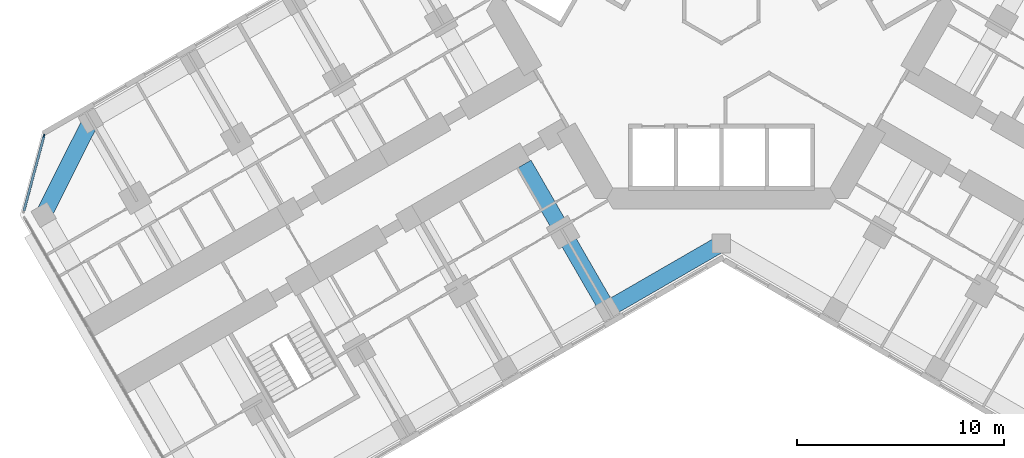
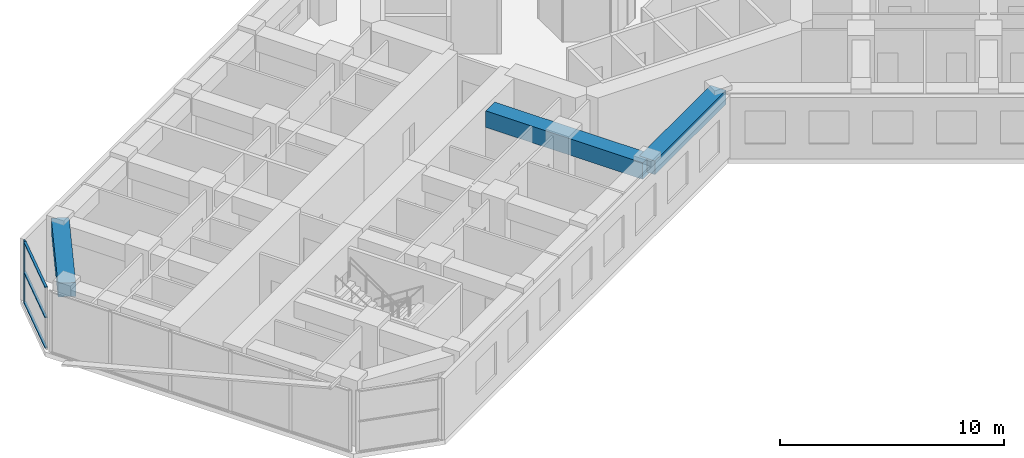
# One storey, part 3 of 22: 4 members, 3 beams, 1 element without a shape of its own.
"""IFC4 building model written with IfcOpenShell, lengths in metres."""

from ifc_helpers import new_model, si_unit, direction, frame, origin, origin_2d, place, context, subcontext, project, spatial, rectangle, extrude, material, material_profile, profile_set, type_object, element, aggregate, save


model = new_model("IFC4")

# Units and contexts
model_context = context("Model", 3, precision=1e-05, world=origin(), true_north=direction((0.0, 1.0)))
body_context = subcontext(model_context, "Body", "Model", "MODEL_VIEW")
ifc_project = project(units=[si_unit("LENGTHUNIT", "METRE"), si_unit("AREAUNIT", "SQUARE_METRE"), si_unit("VOLUMEUNIT", "CUBIC_METRE"), si_unit("PLANEANGLEUNIT", "RADIAN"), si_unit("MASSUNIT", "GRAM", prefix="KILO")], contexts=[model_context])

# Site, building, storey
site_placement = place(None, origin())
site = spatial("IfcSite", under=ifc_project, at=site_placement, CompositionType="ELEMENT")
building_placement = place(site_placement, origin())
building = spatial("IfcBuilding", under=site, at=building_placement, Name="Kosmar Iwan School Tower", CompositionType="ELEMENT")
storey_placement = place(building_placement, frame((0.0, 0.0, 91.60009765625)))
storey = spatial("IfcBuildingStorey", under=building, at=storey_placement, Name="L22", CompositionType="ELEMENT", Elevation=91.60009765625)

# Curtain wall, member
ifc_material_1 = material(Name="Dark glass in black aluminium frame", Category="aluminium")
curtain_wall_type = type_object("IfcCurtainWallType", Name="Chamfer curtain wall dark glass", PredefinedType="USERDEFINED", material=ifc_material_1)
curtain_wall_placement = place(storey_placement, origin())
curtain_wall = element("IfcCurtainWall", 1, at=curtain_wall_placement, inside=storey, type_object=curtain_wall_type, Name="Curtain wall L22-F12", ObjectType="FACETED CURTAIN WALL", PredefinedType="USERDEFINED")
ifc_material_2 = material(Name="Black anodised aluminium", Category="aluminium")
ifc_material_profile_1 = material_profile(ifc_material_2, rectangle(XDim=0.06005859375, YDim=0.159912109375, at=origin_2d()), Name="MULLION 60x160")
ifc_profile_set_1 = profile_set([ifc_material_profile_1], Name="Black anodised aluminium")
member_type_1 = type_object("IfcMemberType", Name="Mullion 60x160", PredefinedType="MULLION", material=ifc_profile_set_1)
member_1_placement = place(storey_placement, frame((-32.78076171875, -6.5732421875, 0.0), z_axis=(0.0, 0.0, 1.0), x_axis=(0.965925875495, -0.258818861462, 0.0)))
member_1 = element("IfcMember", 2, at=member_1_placement, type_object=member_type_1, Name="CW2 mullion 1", PredefinedType="MULLION", context=body_context, shape_type="SweptSolid", body=[
    extrude(rectangle(XDim=0.06005859375, YDim=0.159912109375, at=origin_2d()), origin(), (0.0, 0.0, 1.0), 3.349853515625),
])

# Beams
ifc_material_3 = material(Name="Concrete C50/60", Category="concrete")
ifc_material_profile_2 = material_profile(ifc_material_3, rectangle(XDim=0.800048828125, YDim=0.75, at=origin_2d()), Name="RC 800x750")
ifc_profile_set_2 = profile_set([ifc_material_profile_2], Name="Concrete C50/60")
beam_type_1 = type_object("IfcBeamType", Name="RC edge beam 800x750", PredefinedType="BEAM", material=ifc_profile_set_2)
beam_1_placement = place(storey_placement, frame((0.0, -11.77783203125, 2.974853515625), z_axis=(-0.866014293216, -0.500019243575, 0.0), x_axis=(0.500019243575, -0.866014293216, 0.0)))
element("IfcBeam", 3, at=beam_1_placement, inside=storey, type_object=beam_type_1, Name="Edge beam BL1", PredefinedType="BEAM", context=body_context, shape_type="SweptSolid", body=[
    extrude(rectangle(XDim=0.800048828125, YDim=0.75, at=origin_2d()), origin(), (0.0, 0.0, 1.0), 6.361083984375),
])
ifc_material_4 = material(Name="Concrete C50/60", Category="concrete")
ifc_material_profile_3 = material_profile(ifc_material_4, rectangle(XDim=0.800048828125, YDim=0.75, at=origin_2d()), Name="RC 800x750")
ifc_profile_set_3 = profile_set([ifc_material_profile_3], Name="Concrete C50/60")
beam_type_2 = type_object("IfcBeamType", Name="RC tip beam 800x750", PredefinedType="BEAM", material=ifc_profile_set_3)
beam_2_placement = place(storey_placement, frame((-30.517822265625, -5.841552734375, 2.974853515625), z_axis=(-0.44809604203, -0.893985423325, 0.0), x_axis=(0.893985423325, -0.44809604203, 0.0)))
element("IfcBeam", 4, at=beam_2_placement, inside=storey, type_object=beam_type_2, Name="Tip beam BR", PredefinedType="BEAM", context=body_context, shape_type="SweptSolid", body=[
    extrude(rectangle(XDim=0.800048828125, YDim=0.75, at=origin_2d()), origin(), (0.0, 0.0, 1.0), 5.08935546875),
])
ifc_material_5 = material(Name="Concrete C50/60", Category="concrete")
ifc_material_profile_4 = material_profile(ifc_material_5, rectangle(XDim=0.800048828125, YDim=0.89990234375, at=origin_2d()), Name="RC 800x900")
ifc_profile_set_4 = profile_set([ifc_material_profile_4], Name="Concrete C50/60")
beam_type_3 = type_object("IfcBeamType", Name="RC transverse beam 800x900", PredefinedType="BEAM", material=ifc_profile_set_4)
beam_3_placement = place(storey_placement, frame((-5.5087890625, -14.95849609375, 2.89990234375), z_axis=(-0.499999880539, 0.866025472755, 0.0), x_axis=(-0.866025472755, -0.499999880539, 0.0)))
element("IfcBeam", 5, at=beam_3_placement, inside=storey, type_object=beam_type_3, Name="Transverse beam BL1", PredefinedType="BEAM", context=body_context, shape_type="SweptSolid", body=[
    extrude(rectangle(XDim=0.800048828125, YDim=0.89990234375, at=origin_2d()), origin(), (0.0, 0.0, 1.0), 8.10009765625),
])

# Member
ifc_material_6 = material(Name="Black anodised aluminium", Category="aluminium")
ifc_material_profile_5 = material_profile(ifc_material_6, rectangle(XDim=0.1201171875, YDim=0.06005859375, at=origin_2d()), Name="TRANSOM 60x120")
ifc_profile_set_5 = profile_set([ifc_material_profile_5], Name="Black anodised aluminium")
member_type_2 = type_object("IfcMemberType", Name="Transom 60x120", PredefinedType="USERDEFINED", material=ifc_profile_set_5)
member_2_placement = place(storey_placement, frame((-32.788330078125, -6.602294921875, 0.02978515625), z_axis=(-0.258843273983, -0.965919333854, 0.0), x_axis=(0.965919333854, -0.258843273983, 0.0)))
member_2 = element("IfcMember", 6, at=member_2_placement, type_object=member_type_2, Name="CW2 transom 1.1", ObjectType="TRANSOM", PredefinedType="USERDEFINED", context=body_context, shape_type="SweptSolid", body=[
    extrude(rectangle(XDim=0.1201171875, YDim=0.06005859375, at=origin_2d()), origin(), (0.0, 0.0, 1.0), 3.718994140625),
])

member_3_placement = place(storey_placement, frame((-32.788330078125, -6.602294921875, 1.6748046875), z_axis=(-0.258843273983, -0.965919333854, 0.0), x_axis=(0.965919333854, -0.258843273983, 0.0)))
member_3 = element("IfcMember", 7, at=member_3_placement, type_object=member_type_2, Name="CW2 transom 1.2", ObjectType="TRANSOM", PredefinedType="USERDEFINED", context=body_context, shape_type="SweptSolid", body=[
    extrude(rectangle(XDim=0.1201171875, YDim=0.06005859375, at=origin_2d()), origin(), (0.0, 0.0, 1.0), 3.718994140625),
])

member_4_placement = place(storey_placement, frame((-32.788330078125, -6.602294921875, 3.31982421875), z_axis=(-0.258843273983, -0.965919333854, 0.0), x_axis=(0.965919333854, -0.258843273983, 0.0)))
member_4 = element("IfcMember", 8, at=member_4_placement, type_object=member_type_2, Name="CW2 transom 1.3", ObjectType="TRANSOM", PredefinedType="USERDEFINED", context=body_context, shape_type="SweptSolid", body=[
    extrude(rectangle(XDim=0.1201171875, YDim=0.06005859375, at=origin_2d()), origin(), (0.0, 0.0, 1.0), 3.718994140625),
])

aggregate(curtain_wall, [member_1, member_2, member_3, member_4])

save(model, "model.ifc")
